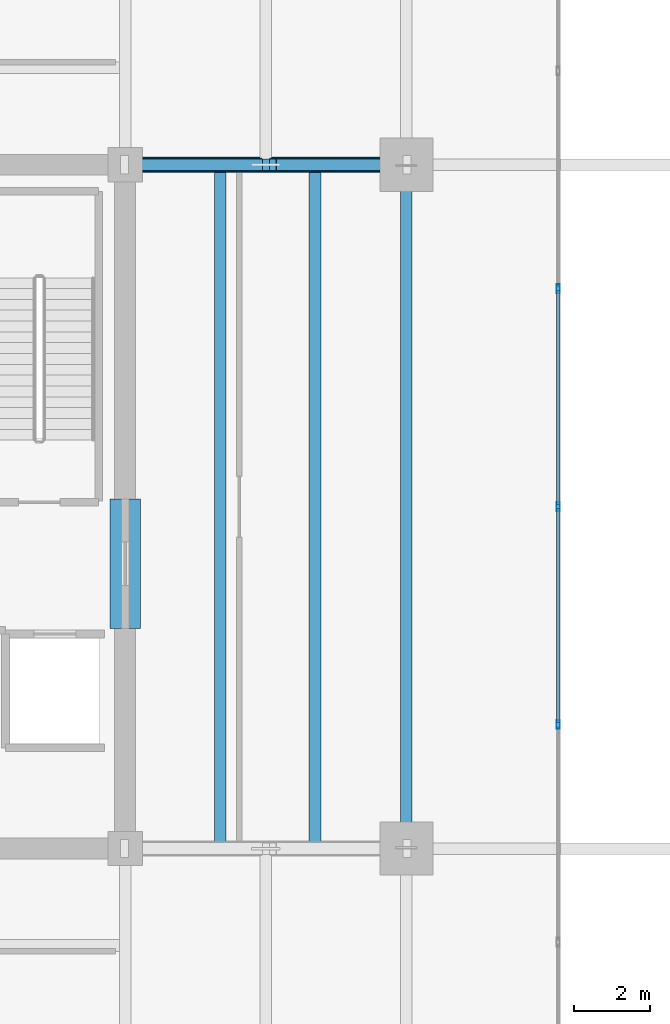
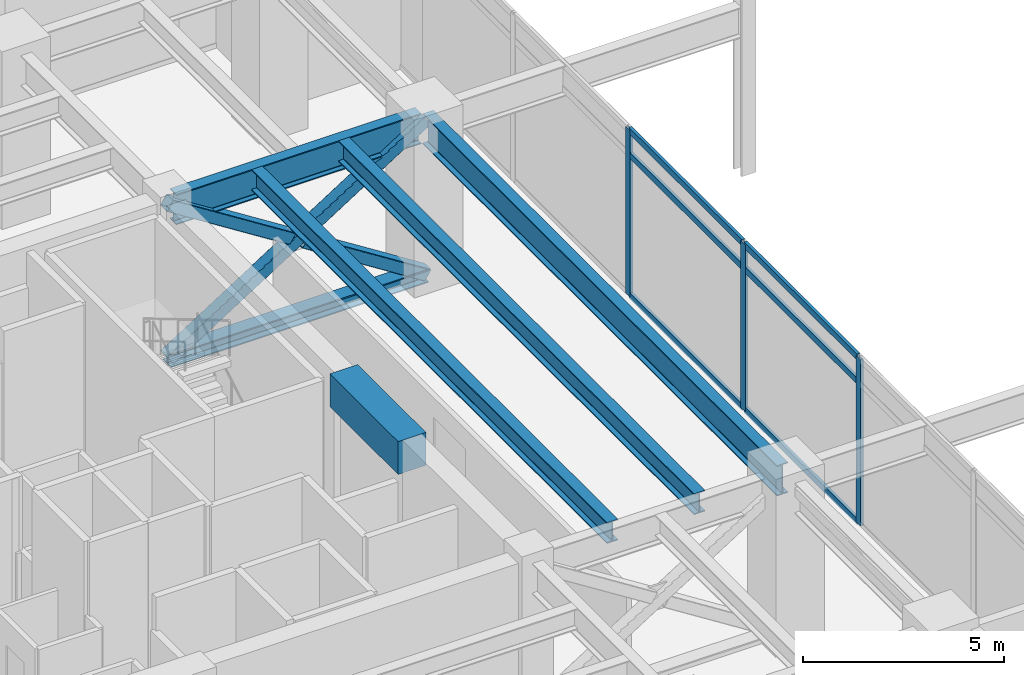
# One storey, part 10 of 21: 13 members, 5 beams, 1 element without a shape of its own.
"""IFC4 building model written with IfcOpenShell, lengths in metres."""

from ifc_helpers import new_model, si_unit, direction, frame, origin, origin_2d, place, context, subcontext, project, spatial, rectangle, hollow_rectangle, i_section, extrude, material, material_profile, profile_set, type_object, element, aggregate, save


model = new_model("IFC4")

# Units and contexts
model_context = context("Model", 3, precision=1e-05, world=origin(), true_north=direction((0.0, 1.0)))
body_context = subcontext(model_context, "Body", "Model", "MODEL_VIEW")
ifc_project = project(units=[si_unit("LENGTHUNIT", "METRE"), si_unit("AREAUNIT", "SQUARE_METRE"), si_unit("VOLUMEUNIT", "CUBIC_METRE"), si_unit("PLANEANGLEUNIT", "RADIAN"), si_unit("MASSUNIT", "GRAM", prefix="KILO")], contexts=[model_context])

# Site, building, storey
site_placement = place(None, origin())
site = spatial("IfcSite", under=ifc_project, at=site_placement, CompositionType="ELEMENT")
building_placement = place(site_placement, origin())
building = spatial("IfcBuilding", under=site, at=building_placement, Name="Kovane Verandah Tower", CompositionType="ELEMENT")
storey_placement = place(building_placement, frame((0.0, 0.0, 189.39990234375)))
storey = spatial("IfcBuildingStorey", under=building, at=storey_placement, Name="L44", CompositionType="ELEMENT", Elevation=189.39990234375)

# Beams
ifc_material_1 = material(Name="Concrete C60/75", Category="concrete")
ifc_material_profile_1 = material_profile(ifc_material_1, rectangle(XDim=0.800048828125, YDim=1.0, at=origin_2d()), Name="RCB800x1000")
ifc_profile_set_1 = profile_set([ifc_material_profile_1], Name="Concrete C60/75")
beam_type_1 = type_object("IfcBeamType", Name="BM-LINTEL-800x1000", PredefinedType="LINTEL", material=ifc_profile_set_1)
beam_1_placement = place(storey_placement, frame((51.0, 24.300048828125, 4.60009765625), z_axis=(0.0, 1.0, 0.0), x_axis=(-1.0, 0.0, 0.0)))
element("IfcBeam", 1, at=beam_1_placement, inside=storey, type_object=beam_type_1, Name="L44 Core Coupling Lintel CL-E", PredefinedType="LINTEL", context=body_context, shape_type="SweptSolid", body=[
    extrude(rectangle(XDim=0.800048828125, YDim=1.0, at=origin_2d()), origin(), (0.0, 0.0, 1.0), 3.39990234375),
])
ifc_material_2 = material(Name="Steel S460", Category="steel")
ifc_material_profile_2 = material_profile(ifc_material_2, i_section(OverallWidth=0.311279296875, OverallDepth=0.6357421875, WebThickness=0.018310546875, FlangeThickness=0.031494140625, FilletRadius=0.0166015625, at=origin_2d()), Name="UB610x305x238")
ifc_profile_set_2 = profile_set([ifc_material_profile_2], Name="Steel S460")
beam_type_2 = type_object("IfcBeamType", Name="BM-UB610x238", PredefinedType="BEAM", material=ifc_profile_set_2)
for number, where, z_axis, x_axis, name in (
    (2, (53.5, 18.65185546875, 4.7822265625), (0.0, 1.0, 0.0), (-1.0, 0.0, 0.0), "L44 Secondary Composite Joist J-E1"),
    (3, (56.0, 18.65185546875, 4.7822265625), (0.0, 1.0, 0.0), (-1.0, 0.0, 0.0), "L44 Secondary Composite Joist J-E2"),
):
    element("IfcBeam", number, at=place(storey_placement, frame(where, z_axis=z_axis, x_axis=x_axis)), inside=storey, type_object=beam_type_2, Name=name, PredefinedType="BEAM", context=body_context, shape_type="SweptSolid", body=[
        extrude(i_section(OverallWidth=0.311279296875, OverallDepth=0.6357421875, WebThickness=0.018310546875, FlangeThickness=0.031494140625, FilletRadius=0.0166015625, at=origin_2d()), origin(), (0.0, 0.0, 1.0), 17.6962890625),
    ])
ifc_material_profile_3 = material_profile(ifc_material_2, i_section(OverallWidth=0.3076171875, OverallDepth=0.926513671875, WebThickness=0.01953125, FlangeThickness=0.031982421875, FilletRadius=0.01904296875, at=origin_2d()), Name="UB914x305x289")
ifc_profile_set_3 = profile_set([ifc_material_profile_3], Name="Steel S460")
beam_type_3 = type_object("IfcBeamType", Name="BM-UB914x289", PredefinedType="BEAM", material=ifc_profile_set_3)
beam_2_placement = place(storey_placement, frame((58.39990234375, 18.679931640625, 4.63671875), z_axis=(0.0, 1.0, 0.0), x_axis=(-1.0, 0.0, 0.0)))
element("IfcBeam", 4, at=beam_2_placement, inside=storey, type_object=beam_type_3, Name="L44 Primary Tower Girder G-RE2", PredefinedType="BEAM", context=body_context, shape_type="SweptSolid", body=[
    extrude(i_section(OverallWidth=0.3076171875, OverallDepth=0.926513671875, WebThickness=0.01953125, FlangeThickness=0.031982421875, FilletRadius=0.01904296875, at=origin_2d()), origin(), (0.0, 0.0, 1.0), 17.64013671875),
])
beam_3_placement = place(storey_placement, frame((51.179931640625, 36.5, 4.63671875), z_axis=(1.0, 0.0, 0.0), x_axis=(0.0, 1.0, 0.0)))
element("IfcBeam", 5, at=beam_3_placement, inside=storey, type_object=beam_type_3, Name="L44 Primary Tower Girder G-E2", PredefinedType="BEAM", context=body_context, shape_type="SweptSolid", body=[
    extrude(i_section(OverallWidth=0.3076171875, OverallDepth=0.926513671875, WebThickness=0.01953125, FlangeThickness=0.031982421875, FilletRadius=0.01904296875, at=origin_2d()), origin(), (0.0, 0.0, 1.0), 7.0400390625),
])

# Curtain wall, members
ifc_material_3 = material(Name="Champagne Anodised Aluminium Frame with Low-E Clear Laminated Glass", Category="aluminium")
curtain_wall_type = type_object("IfcCurtainWallType", Name="CW-SYS-04-WAIST", PredefinedType="NOTDEFINED", material=ifc_material_3)
curtain_wall_placement = place(storey_placement, origin())
curtain_wall = element("IfcCurtainWall", 6, at=curtain_wall_placement, inside=storey, type_object=curtain_wall_type, Name="L44 E Unitised Curtain Wall", PredefinedType="NOTDEFINED")
ifc_material_4 = material(Name="Champagne Anodised Aluminium 6063-T6", Category="aluminium")
ifc_material_profile_4 = material_profile(ifc_material_4, hollow_rectangle(XDim=0.0849609375, YDim=0.22998046875, WallThickness=0.00390625, at=origin_2d()), Name="AL85x230x4")
ifc_profile_set_4 = profile_set([ifc_material_profile_4], Name="Champagne Anodised Aluminium 6063-T6")
member_type_1 = type_object("IfcMemberType", Name="CW-MUL-85x230", PredefinedType="MULLION", material=ifc_profile_set_4)
member_1_placement = place(storey_placement, frame((62.39990234375, 21.7666015625, 0.02001953125), z_axis=(0.0, 0.0, 1.0), x_axis=(1.0, 0.0, 0.0)))
member_1 = element("IfcMember", 7, at=member_1_placement, type_object=member_type_1, Name="L44 E Unitised Curtain Wall Mullion 3", PredefinedType="MULLION", context=body_context, shape_type="SweptSolid", body=[
    extrude(hollow_rectangle(XDim=0.0849609375, YDim=0.22998046875, WallThickness=0.00390625, at=origin_2d()), origin(), (0.0, 0.0, 1.0), 5.06005859375),
])
member_2_placement = place(storey_placement, frame((62.39990234375, 27.5, 0.02001953125), z_axis=(0.0, 0.0, 1.0), x_axis=(1.0, 0.0, 0.0)))
member_2 = element("IfcMember", 8, at=member_2_placement, type_object=member_type_1, Name="L44 E Unitised Curtain Wall Mullion 4", PredefinedType="MULLION", context=body_context, shape_type="SweptSolid", body=[
    extrude(hollow_rectangle(XDim=0.0849609375, YDim=0.22998046875, WallThickness=0.00390625, at=origin_2d()), origin(), (0.0, 0.0, 1.0), 5.06005859375),
])
member_3_placement = place(storey_placement, frame((62.39990234375, 33.2333984375, 0.02001953125), z_axis=(0.0, 0.0, 1.0), x_axis=(1.0, 0.0, 0.0)))
member_3 = element("IfcMember", 9, at=member_3_placement, type_object=member_type_1, Name="L44 E Unitised Curtain Wall Mullion 5", PredefinedType="MULLION", context=body_context, shape_type="SweptSolid", body=[
    extrude(hollow_rectangle(XDim=0.0849609375, YDim=0.22998046875, WallThickness=0.00390625, at=origin_2d()), origin(), (0.0, 0.0, 1.0), 5.06005859375),
])
ifc_material_profile_5 = material_profile(ifc_material_4, hollow_rectangle(XDim=0.0849609375, YDim=0.18994140625, WallThickness=0.00390625, at=origin_2d()), Name="AL85x190x4")
ifc_profile_set_5 = profile_set([ifc_material_profile_5], Name="Champagne Anodised Aluminium 6063-T6")
member_type_2 = type_object("IfcMemberType", Name="CW-TRN-85x190", PredefinedType="USERDEFINED", material=ifc_profile_set_5)
member_4_placement = place(storey_placement, frame((62.39990234375, 21.816650390625, 0.050048828125), z_axis=(0.0, 1.0, 0.0), x_axis=(-1.0, 0.0, 0.0)))
member_4 = element("IfcMember", 10, at=member_4_placement, type_object=member_type_2, Name="L44 E Unitised Curtain Wall Transom TB Bay 3", ObjectType="TRANSOM", PredefinedType="USERDEFINED", context=body_context, shape_type="SweptSolid", body=[
    extrude(hollow_rectangle(XDim=0.0849609375, YDim=0.18994140625, WallThickness=0.00390625, at=origin_2d()), origin(), (0.0, 0.0, 1.0), 5.63330078125),
])
member_5_placement = place(storey_placement, frame((62.39990234375, 21.816650390625, 4.320068359375), z_axis=(0.0, 1.0, 0.0), x_axis=(-1.0, 0.0, 0.0)))
member_5 = element("IfcMember", 11, at=member_5_placement, type_object=member_type_2, Name="L44 E Unitised Curtain Wall Transom TM Bay 3", ObjectType="TRANSOM", PredefinedType="USERDEFINED", context=body_context, shape_type="SweptSolid", body=[
    extrude(hollow_rectangle(XDim=0.0849609375, YDim=0.18994140625, WallThickness=0.00390625, at=origin_2d()), origin(), (0.0, 0.0, 1.0), 5.63330078125),
])
member_6_placement = place(storey_placement, frame((62.39990234375, 21.816650390625, 5.050048828125), z_axis=(0.0, 1.0, 0.0), x_axis=(-1.0, 0.0, 0.0)))
member_6 = element("IfcMember", 12, at=member_6_placement, type_object=member_type_2, Name="L44 E Unitised Curtain Wall Transom TT Bay 3", ObjectType="TRANSOM", PredefinedType="USERDEFINED", context=body_context, shape_type="SweptSolid", body=[
    extrude(hollow_rectangle(XDim=0.0849609375, YDim=0.18994140625, WallThickness=0.00390625, at=origin_2d()), origin(), (0.0, 0.0, 1.0), 5.63330078125),
])
member_7_placement = place(storey_placement, frame((62.39990234375, 27.550048828125, 0.050048828125), z_axis=(0.0, 1.0, 0.0), x_axis=(-1.0, 0.0, 0.0)))
member_7 = element("IfcMember", 13, at=member_7_placement, type_object=member_type_2, Name="L44 E Unitised Curtain Wall Transom TB Bay 4", ObjectType="TRANSOM", PredefinedType="USERDEFINED", context=body_context, shape_type="SweptSolid", body=[
    extrude(hollow_rectangle(XDim=0.0849609375, YDim=0.18994140625, WallThickness=0.00390625, at=origin_2d()), origin(), (0.0, 0.0, 1.0), 5.63330078125),
])
member_8_placement = place(storey_placement, frame((62.39990234375, 27.550048828125, 4.320068359375), z_axis=(0.0, 1.0, 0.0), x_axis=(-1.0, 0.0, 0.0)))
member_8 = element("IfcMember", 14, at=member_8_placement, type_object=member_type_2, Name="L44 E Unitised Curtain Wall Transom TM Bay 4", ObjectType="TRANSOM", PredefinedType="USERDEFINED", context=body_context, shape_type="SweptSolid", body=[
    extrude(hollow_rectangle(XDim=0.0849609375, YDim=0.18994140625, WallThickness=0.00390625, at=origin_2d()), origin(), (0.0, 0.0, 1.0), 5.63330078125),
])
member_9_placement = place(storey_placement, frame((62.39990234375, 27.550048828125, 5.050048828125), z_axis=(0.0, 1.0, 0.0), x_axis=(-1.0, 0.0, 0.0)))
member_9 = element("IfcMember", 15, at=member_9_placement, type_object=member_type_2, Name="L44 E Unitised Curtain Wall Transom TT Bay 4", ObjectType="TRANSOM", PredefinedType="USERDEFINED", context=body_context, shape_type="SweptSolid", body=[
    extrude(hollow_rectangle(XDim=0.0849609375, YDim=0.18994140625, WallThickness=0.00390625, at=origin_2d()), origin(), (0.0, 0.0, 1.0), 5.63330078125),
])
aggregate(curtain_wall, [member_1, member_2, member_3, member_4, member_5, member_6, member_7, member_8, member_9])

# Members
ifc_material_profile_6 = material_profile(ifc_material_2, hollow_rectangle(XDim=0.35009765625, YDim=0.35009765625, WallThickness=0.01611328125, InnerFilletRadius=0.01611328125, OuterFilletRadius=0.031982421875, at=origin_2d()), Name="SHS350x350x16")
ifc_profile_set_6 = profile_set([ifc_material_profile_6], Name="Steel S460")
member_type_3 = type_object("IfcMemberType", Name="MEM-BR-SHS350", PredefinedType="BRACE", material=ifc_profile_set_6)
member_10_placement = place(storey_placement, frame((51.0, 36.5, 0.1201171875), z_axis=(0.844130190712, 0.0, 0.536138248149), x_axis=(0.0, 1.0, 0.0)))
element("IfcMember", 16, at=member_10_placement, inside=storey, type_object=member_type_3, Name="L44 Outrigger Continuous Diagonal OE2", PredefinedType="BRACE", context=body_context, shape_type="SweptSolid", body=[
    extrude(hollow_rectangle(XDim=0.35009765625, YDim=0.35009765625, WallThickness=0.01611328125, InnerFilletRadius=0.01611328125, OuterFilletRadius=0.031982421875, at=origin_2d()), origin(), (0.0, 0.0, 1.0), 8.766357421875),
])
member_11_placement = place(storey_placement, frame((58.39990234375, 36.5, 0.1201171875), z_axis=(-0.844134458602, 0.0, 0.536131528452), x_axis=(0.0, -1.0, 0.0)))
element("IfcMember", 17, at=member_11_placement, inside=storey, type_object=member_type_3, Name="L44 Outrigger Split Diagonal Lower OE2", PredefinedType="BRACE", context=body_context, shape_type="SweptSolid", body=[
    extrude(hollow_rectangle(XDim=0.35009765625, YDim=0.35009765625, WallThickness=0.01611328125, InnerFilletRadius=0.01611328125, OuterFilletRadius=0.031982421875, at=origin_2d()), origin(), (0.0, 0.0, 1.0), 4.1630859375),
])
member_12_placement = place(storey_placement, frame((54.514404296875, 36.5, 2.588134765625), z_axis=(-0.844151314061, 0.0, 0.536104988756), x_axis=(0.0, -1.0, 0.0)))
element("IfcMember", 18, at=member_12_placement, inside=storey, type_object=member_type_3, Name="L44 Outrigger Split Diagonal Upper OE2", PredefinedType="BRACE", context=body_context, shape_type="SweptSolid", body=[
    extrude(hollow_rectangle(XDim=0.35009765625, YDim=0.35009765625, WallThickness=0.01611328125, InnerFilletRadius=0.01611328125, OuterFilletRadius=0.031982421875, at=origin_2d()), origin(), (0.0, 0.0, 1.0), 4.163330078125),
])
ifc_material_profile_7 = material_profile(ifc_material_2, i_section(OverallWidth=0.39892578125, OverallDepth=0.3935546875, WebThickness=0.022705078125, FlangeThickness=0.03662109375, FilletRadius=0.01513671875, at=origin_2d()), Name="UC356x406x287")
ifc_profile_set_7 = profile_set([ifc_material_profile_7], Name="Steel S460")
member_type_4 = type_object("IfcMemberType", Name="MEM-CHORD-UC287", PredefinedType="CHORD", material=ifc_profile_set_7)
member_13_placement = place(storey_placement, frame((51.0, 36.5, 0.1201171875), z_axis=(1.0, 0.0, 0.0), x_axis=(0.0, 1.0, 0.0)))
element("IfcMember", 19, at=member_13_placement, inside=storey, type_object=member_type_4, Name="L44 Outrigger Bottom Chord OE2", PredefinedType="CHORD", context=body_context, shape_type="SweptSolid", body=[
    extrude(i_section(OverallWidth=0.39892578125, OverallDepth=0.3935546875, WebThickness=0.022705078125, FlangeThickness=0.03662109375, FilletRadius=0.01513671875, at=origin_2d()), origin(), (0.0, 0.0, 1.0), 7.39990234375),
])

save(model, "model.ifc")
